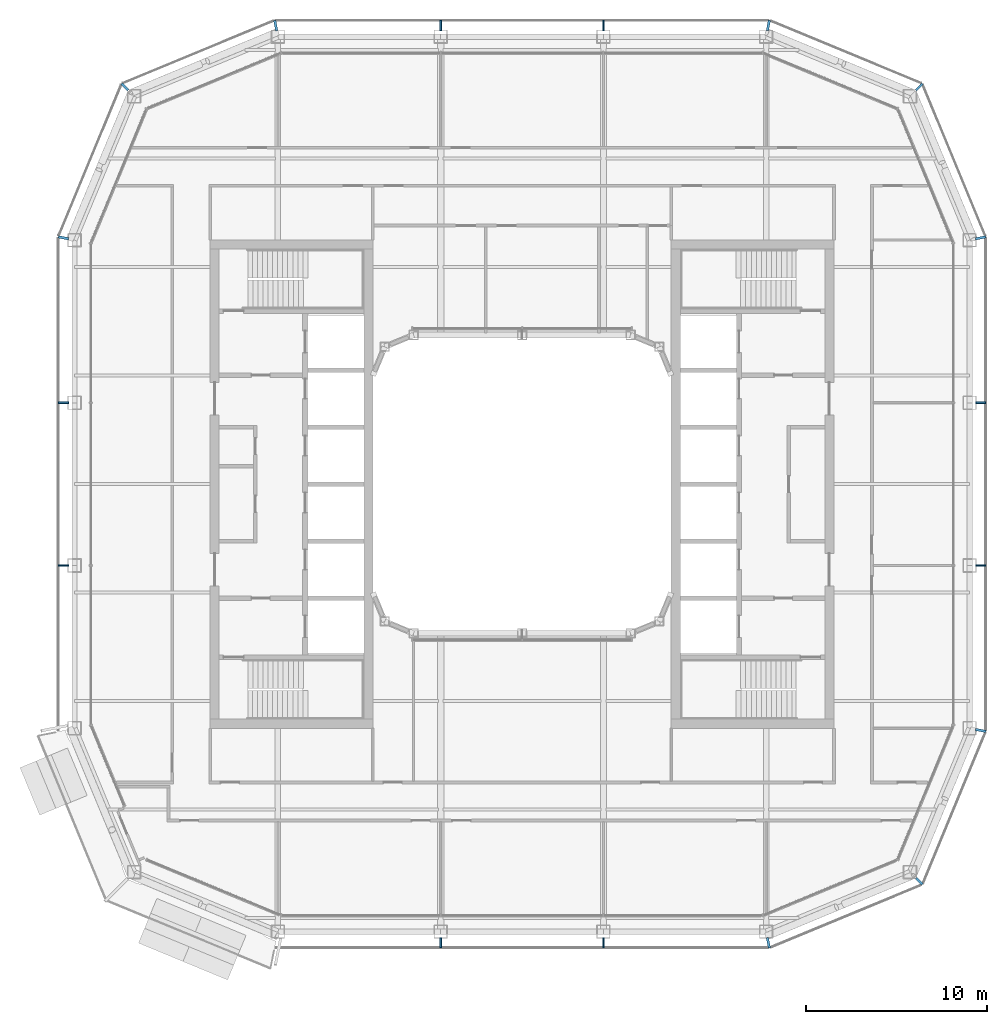
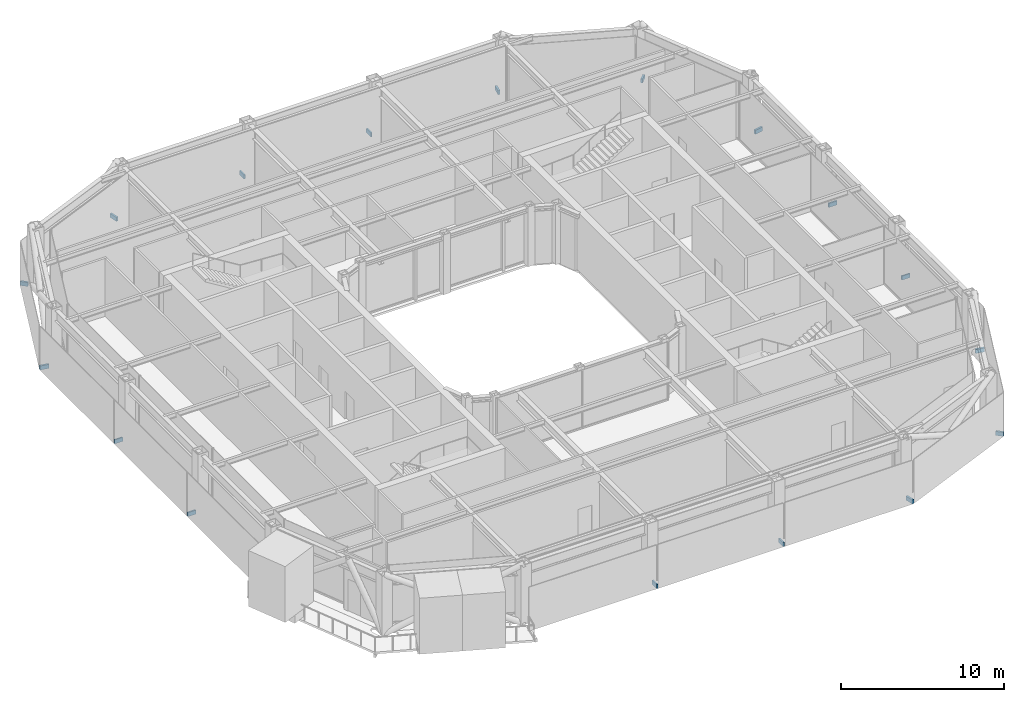
# One storey, part 15 of 20: 17 discrete accessories.
"""IFC4 building model written with IfcOpenShell, lengths in metres."""

from ifc_helpers import new_model, si_unit, direction, frame, origin, origin_2d, place, context, subcontext, project, spatial, rectangle, extrude, material, type_object, element, save


model = new_model("IFC4")

# Units and contexts
model_context = context("Model", 3, precision=1e-05, world=origin(), true_north=direction((0.0, 1.0)))
body_context = subcontext(model_context, "Body", "Model", "MODEL_VIEW")
ifc_project = project(units=[si_unit("LENGTHUNIT", "METRE"), si_unit("AREAUNIT", "SQUARE_METRE"), si_unit("VOLUMEUNIT", "CUBIC_METRE"), si_unit("PLANEANGLEUNIT", "RADIAN"), si_unit("MASSUNIT", "GRAM", prefix="KILO")], contexts=[model_context])

# Site, building, storey
site_placement = place(None, origin())
site = spatial("IfcSite", under=ifc_project, at=site_placement, CompositionType="ELEMENT")
building_placement = place(site_placement, origin())
building = spatial("IfcBuilding", under=site, at=building_placement, Name="Siwar Civic Tower", CompositionType="ELEMENT")
storey_placement = place(building_placement, frame((0.0, 0.0, 298.699951171875)))
storey = spatial("IfcBuildingStorey", under=building, at=storey_placement, Name="L64", CompositionType="ELEMENT", Elevation=298.699951171875)

# Discrete accessories
ifc_material = material(Name="Stainless steel 316", Category="steel")
discrete_accessory_type = type_object("IfcDiscreteAccessoryType", Name="ENV-BRACKET", PredefinedType="BRACKET", material=ifc_material)
for number, where, z_axis, x_axis, name in (
    (1, (25.364990234375, -4.5, -0.14990234375), (0.0, 0.0, 1.0), (1.0, 0.0, 0.0), "Bracket outer skin joint E-01"),
    (2, (25.364990234375, 4.5, -0.14990234375), (0.0, 0.0, 1.0), (1.0, 0.0, 0.0), "Bracket outer skin joint E-02"),
    (3, (4.5, 25.364990234375, -0.14990234375), (0.0, 0.0, 1.0), (0.0, 1.0, 0.0), "Bracket outer skin joint N-01"),
    (4, (-4.5, 25.364990234375, -0.14990234375), (0.0, 0.0, 1.0), (0.0, 1.0, 0.0), "Bracket outer skin joint N-02"),
    (5, (-4.5, -25.364990234375, -0.14990234375), (0.0, 0.0, 1.0), (0.0, -1.0, 0.0), "Bracket outer skin joint S-01"),
    (6, (4.5, -25.364990234375, -0.14990234375), (0.0, 0.0, 1.0), (0.0, -1.0, 0.0), "Bracket outer skin joint S-02"),
):
    element("IfcDiscreteAccessory", number, at=place(storey_placement, frame(where, z_axis=z_axis, x_axis=x_axis)), inside=storey, type_object=discrete_accessory_type, Name=name, PredefinedType="BRACKET", context=body_context, shape_type="SweptSolid", body=[
        extrude(rectangle(XDim=0.570068359375, YDim=0.10009765625, at=origin_2d()), origin(), (0.0, 0.0, 1.0), 0.300048828125),
    ])
discrete_accessory_1_placement = place(storey_placement, frame((13.622314453125, -25.365234375, -0.14990234375), z_axis=(0.0, 0.0, 1.0), x_axis=(0.195090322016, -0.980785280403, 0.0)))
element("IfcDiscreteAccessory", 7, at=discrete_accessory_1_placement, inside=storey, type_object=discrete_accessory_type, Name="Bracket outer skin joint V01", PredefinedType="BRACKET", context=body_context, shape_type="SweptSolid", body=[
    extrude(rectangle(XDim=0.580810546875, YDim=0.13720703125, at=origin_2d()), origin(), (0.0, 0.0, 1.0), 0.300048828125),
])
discrete_accessory_2_placement = place(storey_placement, frame((21.96728515625, -21.96728515625, -0.14990234375), z_axis=(0.0, 0.0, 1.0), x_axis=(0.707106781187, -0.707106781187, 0.0)))
element("IfcDiscreteAccessory", 8, at=discrete_accessory_2_placement, inside=storey, type_object=discrete_accessory_type, Name="Bracket outer skin joint V02", PredefinedType="BRACKET", context=body_context, shape_type="SweptSolid", body=[
    extrude(rectangle(XDim=0.499267578125, YDim=0.12939453125, at=origin_2d()), origin(), (0.0, 0.0, 1.0), 0.300048828125),
])
for number, where, z_axis, x_axis, name in (
    (9, (25.365234375, -13.622314453125, -0.14990234375), (0.0, 0.0, 1.0), (0.980785280403, -0.195090322016, 0.0), "Bracket outer skin joint V03"),
    (10, (25.365234375, 13.622314453125, -0.14990234375), (0.0, 0.0, 1.0), (0.980785280403, 0.195090322016, 0.0), "Bracket outer skin joint V04"),
):
    element("IfcDiscreteAccessory", number, at=place(storey_placement, frame(where, z_axis=z_axis, x_axis=x_axis)), inside=storey, type_object=discrete_accessory_type, Name=name, PredefinedType="BRACKET", context=body_context, shape_type="SweptSolid", body=[
        extrude(rectangle(XDim=0.580810546875, YDim=0.13720703125, at=origin_2d()), origin(), (0.0, 0.0, 1.0), 0.300048828125),
    ])
discrete_accessory_3_placement = place(storey_placement, frame((21.96728515625, 21.96728515625, -0.14990234375), z_axis=(0.0, 0.0, 1.0), x_axis=(0.707106781187, 0.707106781187, 0.0)))
element("IfcDiscreteAccessory", 11, at=discrete_accessory_3_placement, inside=storey, type_object=discrete_accessory_type, Name="Bracket outer skin joint V05", PredefinedType="BRACKET", context=body_context, shape_type="SweptSolid", body=[
    extrude(rectangle(XDim=0.499267578125, YDim=0.12939453125, at=origin_2d()), origin(), (0.0, 0.0, 1.0), 0.300048828125),
])
for number, where, z_axis, x_axis, name in (
    (12, (13.622314453125, 25.365234375, -0.14990234375), (0.0, 0.0, 1.0), (0.195090322016, 0.980785280403, 0.0), "Bracket outer skin joint V06"),
    (13, (-13.622314453125, 25.365234375, -0.14990234375), (0.0, 0.0, 1.0), (-0.195090322016, 0.980785280403, 0.0), "Bracket outer skin joint V07"),
):
    element("IfcDiscreteAccessory", number, at=place(storey_placement, frame(where, z_axis=z_axis, x_axis=x_axis)), inside=storey, type_object=discrete_accessory_type, Name=name, PredefinedType="BRACKET", context=body_context, shape_type="SweptSolid", body=[
        extrude(rectangle(XDim=0.580810546875, YDim=0.13720703125, at=origin_2d()), origin(), (0.0, 0.0, 1.0), 0.300048828125),
    ])
discrete_accessory_4_placement = place(storey_placement, frame((-21.96728515625, 21.96728515625, -0.14990234375), z_axis=(0.0, 0.0, 1.0), x_axis=(-0.707106781187, 0.707106781187, 0.0)))
element("IfcDiscreteAccessory", 14, at=discrete_accessory_4_placement, inside=storey, type_object=discrete_accessory_type, Name="Bracket outer skin joint V08", PredefinedType="BRACKET", context=body_context, shape_type="SweptSolid", body=[
    extrude(rectangle(XDim=0.499267578125, YDim=0.12939453125, at=origin_2d()), origin(), (0.0, 0.0, 1.0), 0.300048828125),
])
discrete_accessory_5_placement = place(storey_placement, frame((-25.365234375, 13.622314453125, -0.14990234375), z_axis=(0.0, 0.0, 1.0), x_axis=(-0.980785280403, 0.195090322016, 0.0)))
element("IfcDiscreteAccessory", 15, at=discrete_accessory_5_placement, inside=storey, type_object=discrete_accessory_type, Name="Bracket outer skin joint V09", PredefinedType="BRACKET", context=body_context, shape_type="SweptSolid", body=[
    extrude(rectangle(XDim=0.580810546875, YDim=0.13720703125, at=origin_2d()), origin(), (0.0, 0.0, 1.0), 0.300048828125),
])
for number, where, z_axis, x_axis, name in (
    (16, (-25.364990234375, 4.5, -0.14990234375), (0.0, 0.0, 1.0), (-1.0, 0.0, 0.0), "Bracket outer skin joint W-01"),
    (17, (-25.364990234375, -4.5, -0.14990234375), (0.0, 0.0, 1.0), (-1.0, 0.0, 0.0), "Bracket outer skin joint W-02"),
):
    element("IfcDiscreteAccessory", number, at=place(storey_placement, frame(where, z_axis=z_axis, x_axis=x_axis)), inside=storey, type_object=discrete_accessory_type, Name=name, PredefinedType="BRACKET", context=body_context, shape_type="SweptSolid", body=[
        extrude(rectangle(XDim=0.570068359375, YDim=0.10009765625, at=origin_2d()), origin(), (0.0, 0.0, 1.0), 0.300048828125),
    ])

save(model, "model.ifc")
